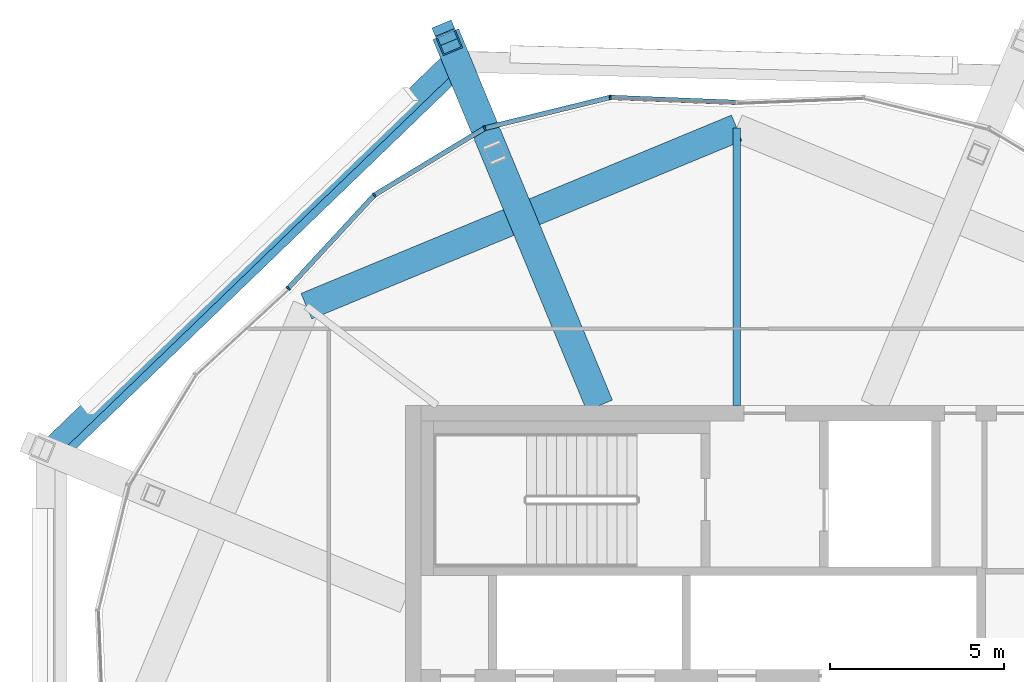
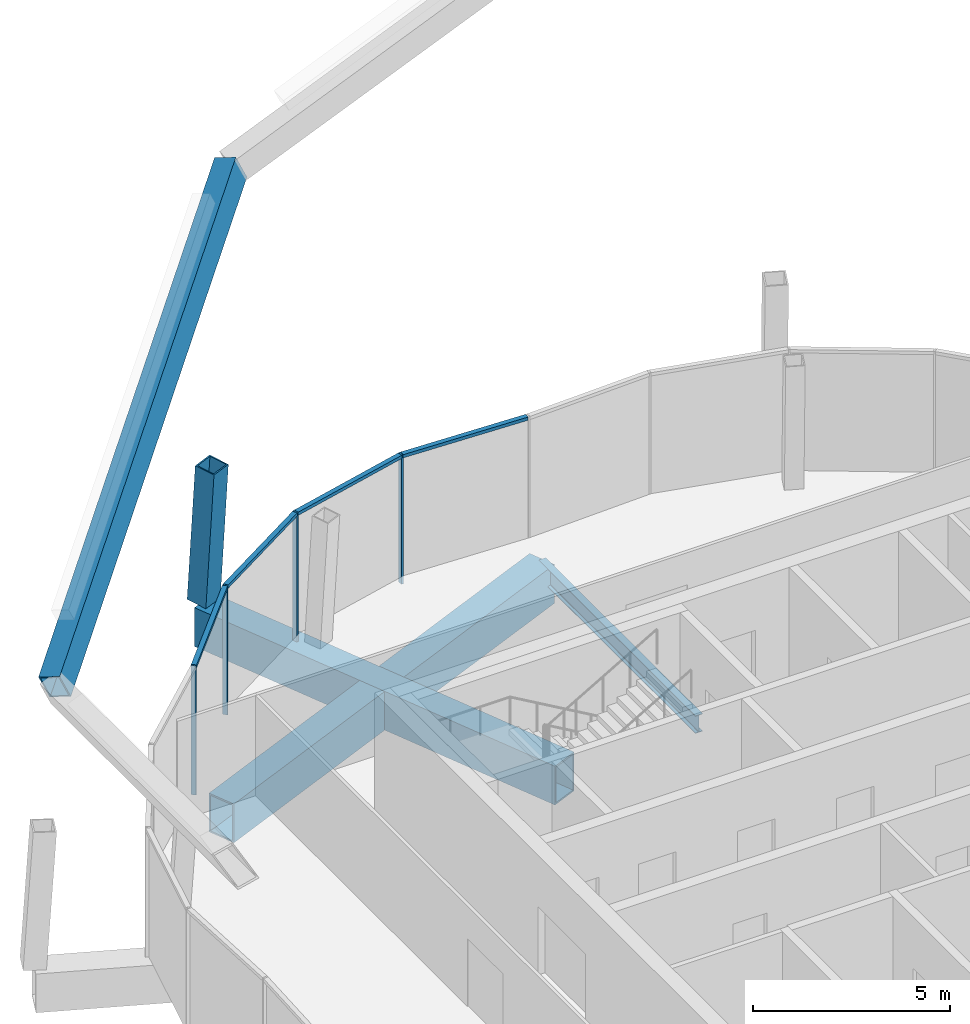
# One storey, part 10 of 34: 9 members, 4 beams, 1 element without a shape of its own.
"""IFC4 building model written with IfcOpenShell, lengths in metres."""

from ifc_helpers import new_model, si_unit, direction, frame, origin, origin_2d, place, context, subcontext, project, spatial, rectangle, hollow_rectangle, i_section, extrude, material, material_profile, profile_set, type_object, element, aggregate, save


model = new_model("IFC4")

# Units and contexts
model_context = context("Model", 3, precision=1e-05, world=origin(), true_north=direction((0.0, 1.0)))
body_context = subcontext(model_context, "Body", "Model", "MODEL_VIEW")
ifc_project = project(units=[si_unit("LENGTHUNIT", "METRE"), si_unit("AREAUNIT", "SQUARE_METRE"), si_unit("VOLUMEUNIT", "CUBIC_METRE"), si_unit("PLANEANGLEUNIT", "RADIAN"), si_unit("MASSUNIT", "GRAM", prefix="KILO")], contexts=[model_context])

# Site, building, storey
site_placement = place(None, origin())
site = spatial("IfcSite", under=ifc_project, at=site_placement, CompositionType="ELEMENT")
building_placement = place(site_placement, origin())
building = spatial("IfcBuilding", under=site, at=building_placement, Name="Ogive Gate Towers", CompositionType="ELEMENT")
storey_placement = place(building_placement, frame((0.0, 0.0, 294.0)))
storey = spatial("IfcBuildingStorey", under=building, at=storey_placement, Name="L69", CompositionType="ELEMENT", Elevation=294.0)

# Curtain wall, members
ifc_material_1 = material(Name="Pale metal aluminium", Category="aluminium")
curtain_wall_type = type_object("IfcCurtainWallType", Name="Crown lean wall", PredefinedType="NOTDEFINED", material=ifc_material_1)
curtain_wall_placement = place(storey_placement, origin())
curtain_wall = element("IfcCurtainWall", 1, at=curtain_wall_placement, inside=storey, type_object=curtain_wall_type, Name="CW5 T1 ECW03", PredefinedType="NOTDEFINED")
ifc_material_profile_1 = material_profile(ifc_material_1, rectangle(XDim=0.139892578125, YDim=0.050048828125, at=origin_2d()), Name="50 x 140 aluminium box")
ifc_profile_set_1 = profile_set([ifc_material_profile_1], Name="Pale metal aluminium")
member_type_1 = type_object("IfcMemberType", Name="Crown lean wall mullion 50 x 140", PredefinedType="MULLION", material=ifc_profile_set_1)
member_1_placement = place(storey_placement, frame((-48.859619140625, 12.85791015625, -0.300048828125), z_axis=(0.0, 0.0, 1.0), x_axis=(0.734547567907, -0.678557197649, 0.0)))
member_1 = element("IfcMember", 2, at=member_1_placement, type_object=member_type_1, Name="CW5 mullion", PredefinedType="MULLION", context=body_context, shape_type="SweptSolid", body=[
    extrude(rectangle(XDim=0.139892578125, YDim=0.050048828125, at=origin_2d()), origin(), (0.0, 0.0, 1.0), 4.0),
])
member_2_placement = place(storey_placement, frame((-46.3916015625, 15.529296875, -0.300048828125), z_axis=(0.0, 0.0, 1.0), x_axis=(0.632759389826, -0.77434847103, 0.0)))
member_2 = element("IfcMember", 3, at=member_2_placement, type_object=member_type_1, Name="CW5 mullion", PredefinedType="MULLION", context=body_context, shape_type="SweptSolid", body=[
    extrude(rectangle(XDim=0.139892578125, YDim=0.050048828125, at=origin_2d()), origin(), (0.0, 0.0, 1.0), 4.0),
])
member_3_placement = place(storey_placement, frame((-43.227294921875, 17.448486328125, -0.300048828125), z_axis=(0.0, 0.0, 1.0), x_axis=(0.382683432365, -0.923879532511, 0.0)))
member_3 = element("IfcMember", 4, at=member_3_placement, type_object=member_type_1, Name="CW5 mullion", PredefinedType="MULLION", context=body_context, shape_type="SweptSolid", body=[
    extrude(rectangle(XDim=0.139892578125, YDim=0.050048828125, at=origin_2d()), origin(), (0.0, 0.0, 1.0), 4.0),
])
member_4_placement = place(storey_placement, frame((-39.633056640625, 18.328857421875, -0.300048828125), z_axis=(0.0, 0.0, 1.0), x_axis=(0.100101233848, -0.99497725752, 0.0)))
member_4 = element("IfcMember", 5, at=member_4_placement, type_object=member_type_1, Name="CW5 mullion", PredefinedType="MULLION", context=body_context, shape_type="SweptSolid", body=[
    extrude(rectangle(XDim=0.139892578125, YDim=0.050048828125, at=origin_2d()), origin(), (0.0, 0.0, 1.0), 4.0),
])
ifc_material_profile_2 = material_profile(ifc_material_1, rectangle(XDim=0.139892578125, YDim=0.10009765625, at=origin_2d()), Name="100 x 140 aluminium box")
ifc_profile_set_2 = profile_set([ifc_material_profile_2], Name="Pale metal aluminium")
member_type_2 = type_object("IfcMemberType", Name="Crown lean wall transom 100 x 140", PredefinedType="USERDEFINED", material=ifc_profile_set_2)
member_5_placement = place(storey_placement, frame((-48.8427734375, 12.876220703125, 3.64990234375), z_axis=(0.678546090414, 0.734557828346, 0.0), x_axis=(-0.734557828346, 0.678546090414, 0.0)))
member_5 = element("IfcMember", 6, at=member_5_placement, type_object=member_type_2, Name="CW5 transom", ObjectType="TRANSOM", PredefinedType="USERDEFINED", context=body_context, shape_type="SweptSolid", body=[
    extrude(rectangle(XDim=0.139892578125, YDim=0.10009765625, at=origin_2d()), origin(), (0.0, 0.0, 1.0), 3.582763671875),
])
member_6_placement = place(storey_placement, frame((-46.36669921875, 15.544677734375, 3.64990234375), z_axis=(0.854998787074, 0.518629997302, 0.0), x_axis=(-0.518629997302, 0.854998787074, 0.0)))
member_6 = element("IfcMember", 7, at=member_6_placement, type_object=member_type_2, Name="CW5 transom", ObjectType="TRANSOM", PredefinedType="USERDEFINED", context=body_context, shape_type="SweptSolid", body=[
    extrude(rectangle(XDim=0.139892578125, YDim=0.10009765625, at=origin_2d()), origin(), (0.0, 0.0, 1.0), 3.64208984375),
])
member_7_placement = place(storey_placement, frame((-43.19873046875, 17.455810546875, 3.64990234375), z_axis=(0.971286879925, 0.237911321475, 0.0), x_axis=(-0.237911321475, 0.971286879925, 0.0)))
member_7 = element("IfcMember", 8, at=member_7_placement, type_object=member_type_2, Name="CW5 transom", ObjectType="TRANSOM", PredefinedType="USERDEFINED", context=body_context, shape_type="SweptSolid", body=[
    extrude(rectangle(XDim=0.139892578125, YDim=0.10009765625, at=origin_2d()), origin(), (0.0, 0.0, 1.0), 3.641845703125),
])
member_8_placement = place(storey_placement, frame((-39.603759765625, 18.327880859375, 3.64990234375), z_axis=(0.99921601742, -0.039589778104, 0.0), x_axis=(0.039589778104, 0.99921601742, 0.0)))
member_8 = element("IfcMember", 9, at=member_8_placement, type_object=member_type_2, Name="CW5 transom", ObjectType="TRANSOM", PredefinedType="USERDEFINED", context=body_context, shape_type="SweptSolid", body=[
    extrude(rectangle(XDim=0.139892578125, YDim=0.10009765625, at=origin_2d()), origin(), (0.0, 0.0, 1.0), 3.5830078125),
])
aggregate(curtain_wall, [member_1, member_2, member_5, member_3, member_6, member_4, member_7, member_8])

# Member
ifc_material_2 = material(Name="Steel SM460", Category="steel")
ifc_material_profile_3 = material_profile(ifc_material_2, hollow_rectangle(XDim=0.60009765625, YDim=0.60009765625, WallThickness=0.0400390625, at=origin_2d()), Name="BX 600x600x40")
ifc_profile_set_3 = profile_set([ifc_material_profile_3], Name="Steel SM460")
member_type_3 = type_object("IfcMemberType", Name="Crown rib BX 600x600x40", PredefinedType="MEMBER", material=ifc_profile_set_3)
member_9_placement = place(storey_placement, frame((-44.350341796875, 20.159423828125, -0.25), z_axis=(0.023393742281, -0.056420201971, 0.998133003979), x_axis=(0.923742113572, 0.3830150227, 0.0)))
element("IfcMember", 10, at=member_9_placement, inside=storey, type_object=member_type_3, Name="T1/L69/STR003", PredefinedType="MEMBER", context=body_context, shape_type="SweptSolid", body=[
    extrude(hollow_rectangle(XDim=0.60009765625, YDim=0.60009765625, WallThickness=0.0400390625, at=origin_2d()), origin(), (0.0, 0.0, 1.0), 4.258056640625),
])

# Beams
ifc_material_profile_4 = material_profile(ifc_material_2, hollow_rectangle(XDim=0.60009765625, YDim=0.800048828125, WallThickness=0.0400390625, at=origin_2d()), Name="BX 800x600x40")
ifc_profile_set_4 = profile_set([ifc_material_profile_4], Name="Steel SM460")
beam_type_1 = type_object("IfcBeamType", Name="Crown ring beam BX 800x600x40", PredefinedType="BEAM", material=ifc_profile_set_4)
beam_1_placement = place(storey_placement, frame((-44.018798828125, 19.359130859375, 13.474365234375), z_axis=(-0.685197707723, -0.660710955378, -0.306537330149), x_axis=(-0.603109909205, 0.750640415537, -0.269809940478)))
element("IfcBeam", 11, at=beam_1_placement, inside=storey, type_object=beam_type_1, Name="T1/L69/SBM003", PredefinedType="BEAM", context=body_context, shape_type="SweptSolid", body=[
    extrude(hollow_rectangle(XDim=0.60009765625, YDim=0.800048828125, WallThickness=0.0400390625, at=origin_2d()), origin(), (0.0, 0.0, 1.0), 16.9794921875),
])
ifc_material_profile_5 = material_profile(ifc_material_2, hollow_rectangle(XDim=0.800048828125, YDim=1.199951171875, WallThickness=0.050048828125, at=origin_2d()), Name="BX 1200x800x50")
ifc_profile_set_5 = profile_set([ifc_material_profile_5], Name="Steel SM460")
beam_type_2 = type_object("IfcBeamType", Name="Edge girder BX 1200x800x50", PredefinedType="BEAM", material=ifc_profile_set_5)
beam_2_placement = place(storey_placement, frame((-36.0, 17.455078125, -0.89990234375), z_axis=(-0.923876732551, -0.382690191996, 0.0), x_axis=(0.382690191996, -0.923876732551, 0.0)))
element("IfcBeam", 12, at=beam_2_placement, inside=storey, type_object=beam_type_2, Name="T1/L69/SBM030", PredefinedType="BEAM", context=body_context, shape_type="SweptSolid", body=[
    extrude(hollow_rectangle(XDim=0.800048828125, YDim=1.199951171875, WallThickness=0.050048828125, at=origin_2d()), origin(), (0.0, 0.0, 1.0), 13.359619140625),
])
ifc_material_3 = material(Name="Steel SM355", Category="steel")
ifc_material_profile_6 = material_profile(ifc_material_3, i_section(OverallWidth=0.2099609375, OverallDepth=0.550048828125, WebThickness=0.010986328125, FlangeThickness=0.01708984375, FilletRadius=0.02392578125, at=origin_2d()), Name="IPE 550")
ifc_profile_set_6 = profile_set([ifc_material_profile_6], Name="Steel SM355")
beam_type_3 = type_object("IfcBeamType", Name="Radial floor beam IPE 550", PredefinedType="BEAM", material=ifc_profile_set_6)
beam_3_placement = place(storey_placement, frame((-36.0, 9.5, -0.574951171875), z_axis=(0.0, 1.0, 0.0), x_axis=(-1.0, 0.0, 0.0)))
element("IfcBeam", 13, at=beam_3_placement, inside=storey, type_object=beam_type_3, Name="T1/L69/SBM019", PredefinedType="BEAM", context=body_context, shape_type="SweptSolid", body=[
    extrude(i_section(OverallWidth=0.2099609375, OverallDepth=0.550048828125, WebThickness=0.010986328125, FlangeThickness=0.01708984375, FilletRadius=0.02392578125, at=origin_2d()), origin(), (0.0, 0.0, 1.0), 7.955078125),
])
ifc_material_profile_7 = material_profile(ifc_material_2, hollow_rectangle(XDim=0.800048828125, YDim=1.199951171875, WallThickness=0.050048828125, at=origin_2d()), Name="BX 1200x800x50")
ifc_profile_set_7 = profile_set([ifc_material_profile_7], Name="Steel SM460")
beam_type_4 = type_object("IfcBeamType", Name="Transfer radial beam BX 1200x800x50", PredefinedType="BEAM", material=ifc_profile_set_7)
beam_4_placement = place(storey_placement, frame((-39.93505859375, 9.5, -0.89990234375), z_axis=(-0.382684265017, 0.923879187615, 0.0), x_axis=(-0.923879187615, -0.382684265017, 0.0)))
element("IfcBeam", 14, at=beam_4_placement, inside=storey, type_object=beam_type_4, Name="T1/L69/SBM020", PredefinedType="BEAM", context=body_context, shape_type="SweptSolid", body=[
    extrude(hollow_rectangle(XDim=0.800048828125, YDim=1.199951171875, WallThickness=0.050048828125, at=origin_2d()), origin(), (0.0, 0.0, 1.0), 11.5224609375),
])

save(model, "model.ifc")
